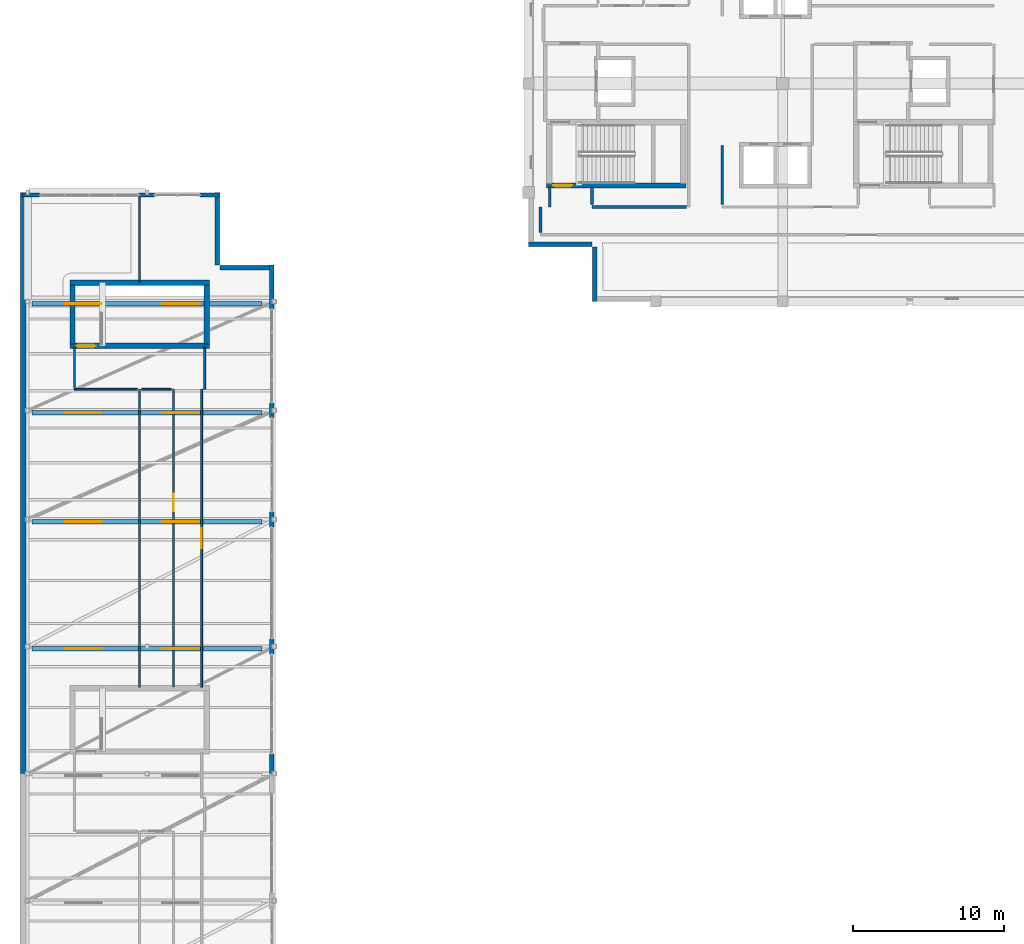
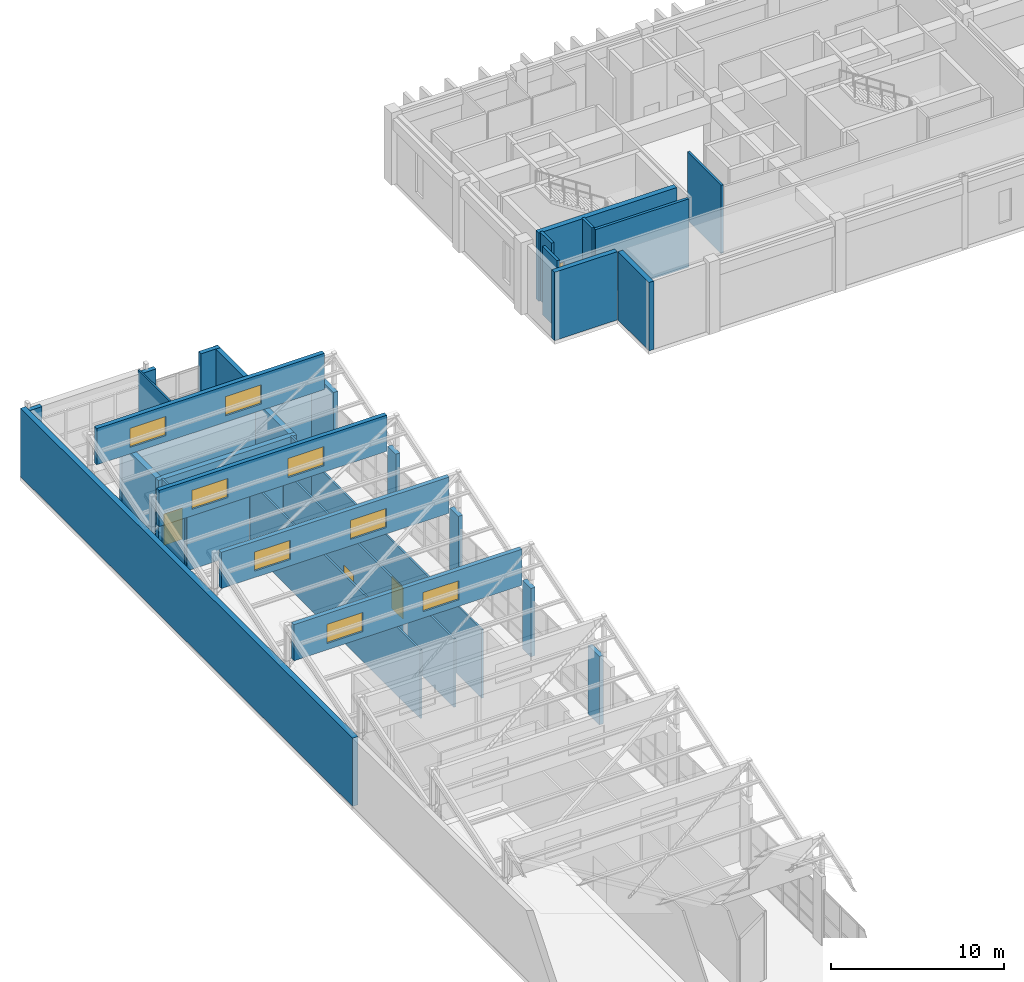
# One storey, part 27 of 34: 35 walls, 8 windows, 4 doors, 12 openings.
"""IFC4 building model written with IfcOpenShell, lengths in metres."""

from ifc_helpers import new_model, si_unit, direction, frame, frame_2d, origin, place, context, subcontext, project, spatial, rectangle, extrude, material, layer, layer_set, type_object, element, fill, save


model = new_model("IFC4")

# Units and contexts
model_context = context("Model", 3, precision=1e-05, world=origin(), true_north=direction((0.0, 1.0)))
body_context = subcontext(model_context, "Body", "Model", "MODEL_VIEW")
ifc_project = project(units=[si_unit("LENGTHUNIT", "METRE"), si_unit("AREAUNIT", "SQUARE_METRE"), si_unit("VOLUMEUNIT", "CUBIC_METRE"), si_unit("PLANEANGLEUNIT", "RADIAN"), si_unit("MASSUNIT", "GRAM", prefix="KILO")], contexts=[model_context])

# Site, building, storey
site_placement = place(None, origin())
site = spatial("IfcSite", under=ifc_project, at=site_placement, CompositionType="ELEMENT")
building_placement = place(site_placement, origin())
building = spatial("IfcBuilding", under=site, at=building_placement, Name="Quendrovan Civic Courthouse", CompositionType="ELEMENT")
storey_placement = place(building_placement, frame((0.0, 0.0, 25.5)))
storey = spatial("IfcBuildingStorey", under=building, at=storey_placement, Name="L06", CompositionType="ELEMENT", Elevation=25.5)

# Wall, opening, door
ifc_material_1 = material(Name="Concrete C45/55", Category="concrete")
ifc_layer_1 = layer(ifc_material_1, 0.35009765625, Name="Concrete C45/55")
ifc_layer_set_1 = layer_set([ifc_layer_1], Name="Concrete C45/55")
wall_type_1 = type_object("IfcWallType", Name="WL-CORE-350", PredefinedType="SHEAR", material=ifc_layer_set_1)
wall_1_placement = place(storey_placement, frame((34.7900390625, 95.264892578125, 0.0), z_axis=(0.0, 0.0, 1.0), x_axis=(1.0, 0.0, 0.0)))
wall_1 = element("IfcWall", 1, at=wall_1_placement, inside=storey, type_object=wall_type_1, Name="L06 Core Shear Wall ST1-S", PredefinedType="SHEAR", context=body_context, shape_type="SweptSolid", body=[
    extrude(rectangle(XDim=9.219970703125, YDim=0.35009765625, at=frame_2d((4.60986328125, 0.0))), origin(), (0.0, 0.0, 1.0), 4.820068359375),
])
opening_1_placement = place(wall_1_placement, frame((0.449951171875, 0.0, 0.0)))
opening_1 = element("IfcOpeningElement", 2, at=opening_1_placement, cuts=wall_1, Name="Opening DS-ST1-L06", PredefinedType="OPENING", context=body_context, shape_type="SweptSolid", body=[
    extrude(rectangle(XDim=1.25, YDim=2.199951171875, at=frame_2d((0.625, 1.10009765625))), frame((0.0, 0.18505859375, 0.0), z_axis=(0.0, -1.0, 0.0), x_axis=(1.0, 0.0, 0.0)), (0.0, 0.0, 1.0), 0.3701171875),
])
ifc_material_2 = material(Name="Painted galvanized hollow-metal steel", Category="steel")
door_type_1 = type_object("IfcDoorType", Name="DR-STAIR-1250", OperationType="NOTDEFINED", PredefinedType="DOOR", material=ifc_material_2)
door_1_placement = place(opening_1_placement, origin())
door_1 = element("IfcDoor", 3, at=door_1_placement, inside=storey, type_object=door_type_1, Name="L06 Exit Stair ST1 Fire Door", OperationType="SINGLE_SWING_RIGHT", OverallHeight=2.199951171875, OverallWidth=1.25, PredefinedType="DOOR", context=body_context, shape_type="SweptSolid", body=[
    extrude(rectangle(XDim=1.25, YDim=2.199951171875, at=frame_2d((0.625, 1.10009765625))), frame((0.0, 0.02490234375, 0.0), z_axis=(0.0, -1.0, 0.0), x_axis=(1.0, 0.0, 0.0)), (0.0, 0.0, 1.0), 0.050048828125),
])
fill(opening_1, door_1)

wall_2_placement = place(storey_placement, frame((3.2900390625, 84.6650390625, 0.0), z_axis=(0.0, 0.0, 1.0), x_axis=(1.0, 0.0, 0.0)))
wall_2 = element("IfcWall", 4, at=wall_2_placement, inside=storey, type_object=wall_type_1, Name="L06 Core Shear Wall ST8-S", PredefinedType="SHEAR", context=body_context, shape_type="SweptSolid", body=[
    extrude(rectangle(XDim=9.219970703125, YDim=0.35009765625, at=frame_2d((4.60986328125, 0.0))), origin(), (0.0, 0.0, 1.0), 4.820068359375),
])
opening_2_placement = place(wall_2_placement, frame((0.449951171875, 0.0, 0.0)))
opening_2 = element("IfcOpeningElement", 5, at=opening_2_placement, cuts=wall_2, Name="Opening DS-ST8-L06", PredefinedType="OPENING", context=body_context, shape_type="SweptSolid", body=[
    extrude(rectangle(XDim=1.25, YDim=2.199951171875, at=frame_2d((0.625, 1.10009765625))), frame((0.0, 0.18505859375, 0.0), z_axis=(0.0, -1.0, 0.0), x_axis=(1.0, 0.0, 0.0)), (0.0, 0.0, 1.0), 0.3701171875),
])
door_2_placement = place(opening_2_placement, origin())
door_2 = element("IfcDoor", 6, at=door_2_placement, inside=storey, type_object=door_type_1, Name="L06 Exit Stair ST8 Fire Door", OperationType="SINGLE_SWING_LEFT", OverallHeight=2.199951171875, OverallWidth=1.25, PredefinedType="DOOR", context=body_context, shape_type="SweptSolid", body=[
    extrude(rectangle(XDim=1.25, YDim=2.199951171875, at=frame_2d((0.625, 1.10009765625))), frame((0.0, 0.02490234375, 0.0), z_axis=(0.0, -1.0, 0.0), x_axis=(1.0, 0.0, 0.0)), (0.0, 0.0, 1.0), 0.050048828125),
])
fill(opening_2, door_2)

# Walls
wall_3_placement = place(storey_placement, frame((12.510009765625, 88.8349609375, 0.0), z_axis=(0.0, 0.0, 1.0), x_axis=(-1.0, 0.0, 0.0)))
element("IfcWall", 7, at=wall_3_placement, inside=storey, type_object=wall_type_1, Name="L06 Core Shear Wall ST8-N", PredefinedType="SHEAR", context=body_context, shape_type="SweptSolid", body=[
    extrude(rectangle(XDim=9.219970703125, YDim=0.35009765625, at=frame_2d((4.60986328125, 0.0))), origin(), (0.0, 0.0, 1.0), 4.820068359375),
])
for number, where, z_axis, x_axis, name in (
    (8, (3.465087890625, 84.800048828125, 0.0), (0.0, 0.0, 1.0), (0.0, 1.0, 0.0), "L06 Core Shear Wall ST8-W"),
    (9, (12.3349609375, 88.699951171875, 0.0), (0.0, 0.0, 1.0), (0.0, -1.0, 0.0), "L06 Core Shear Wall ST8-E"),
):
    element("IfcWall", number, at=place(storey_placement, frame(where, z_axis=z_axis, x_axis=x_axis)), inside=storey, type_object=wall_type_1, Name=name, PredefinedType="SHEAR", context=body_context, shape_type="SweptSolid", body=[
        extrude(rectangle(XDim=3.89990234375, YDim=0.35009765625, at=frame_2d((1.949951171875, 0.0))), origin(), (0.0, 0.0, 1.0), 4.820068359375),
    ])
ifc_material_3 = material(Name="Acoustic gypsum and mineral wool partition")
ifc_layer_2 = layer(ifc_material_3, 0.179931640625, Name="Acoustic gypsum and mineral wool partition")
ifc_layer_set_2 = layer_set([ifc_layer_2], Name="Acoustic gypsum and mineral wool partition")
wall_type_2 = type_object("IfcWallType", Name="WL-CRT-AC180", PredefinedType="PARTITIONING", material=ifc_layer_set_2)
wall_4_placement = place(storey_placement, frame((44.030029296875, 93.85009765625, 0.0), z_axis=(0.0, 0.0, 1.0), x_axis=(-1.0, 0.0, 0.0)))
element("IfcWall", 10, at=wall_4_placement, inside=storey, type_object=wall_type_2, Name="L06 Family Courtroom Partition 0772", PredefinedType="PARTITIONING", context=body_context, shape_type="SweptSolid", body=[
    extrude(rectangle(XDim=6.22998046875, YDim=0.179931640625, at=frame_2d((3.114990234375, 0.0))), origin(), (0.0, 0.0, 1.0), 4.820068359375),
])
wall_5_placement = place(storey_placement, frame((34.39990234375, 93.85009765625, 0.0), z_axis=(0.0, 0.0, 1.0), x_axis=(0.0, -1.0, 0.0)))
element("IfcWall", 11, at=wall_5_placement, inside=storey, type_object=wall_type_2, Name="L06 Family Courtroom Partition 0815", PredefinedType="PARTITIONING", context=body_context, shape_type="SweptSolid", body=[
    extrude(rectangle(XDim=1.68017578125, YDim=0.179931640625, at=frame_2d((0.840087890625, 0.0))), origin(), (0.0, 0.0, 1.0), 4.820068359375),
])
wall_6_placement = place(storey_placement, frame((37.800048828125, 94.02001953125, 0.0), z_axis=(0.0, 0.0, 1.0), x_axis=(0.0, 1.0, 0.0)))
element("IfcWall", 12, at=wall_6_placement, inside=storey, type_object=wall_type_2, Name="L06 Family Courtroom Partition 0817", PredefinedType="PARTITIONING", context=body_context, shape_type="SweptSolid", body=[
    extrude(rectangle(XDim=1.159912109375, YDim=0.179931640625, at=frame_2d((0.580078125, 0.0))), origin(), (0.0, 0.0, 1.0), 4.820068359375),
])
wall_7_placement = place(storey_placement, frame((35.0, 95.179931640625, 0.0), z_axis=(0.0, 0.0, 1.0), x_axis=(0.0, -1.0, 0.0)))
element("IfcWall", 13, at=wall_7_placement, inside=storey, type_object=wall_type_2, Name="L06 Family Courtroom Partition 0818", PredefinedType="PARTITIONING", context=body_context, shape_type="SweptSolid", body=[
    extrude(rectangle(XDim=1.329833984375, YDim=0.179931640625, at=frame_2d((0.6650390625, 0.0))), origin(), (0.0, 0.0, 1.0), 4.820068359375),
])
ifc_material_4 = material(Name="Precast concrete C45/55", Category="concrete")
ifc_layer_3 = layer(ifc_material_4, 0.2900390625, Name="Precast concrete C45/55")
ifc_layer_set_3 = layer_set([ifc_layer_3], Name="Precast concrete C45/55")
wall_type_3 = type_object("IfcWallType", Name="WL-EXT-PC290", PredefinedType="SOLIDWALL", material=ifc_layer_set_3)
wall_8_placement = place(storey_placement, frame((0.175048828125, 94.635009765625, 0.0), z_axis=(0.0, 0.0, 1.0), x_axis=(1.0, 0.0, 0.0)))
element("IfcWall", 14, at=wall_8_placement, inside=storey, type_object=wall_type_3, Name="L06 Exterior Pier Wall 470", PredefinedType="SOLIDWALL", context=body_context, shape_type="SweptSolid", body=[
    extrude(rectangle(XDim=1.125, YDim=0.2900390625, at=frame_2d((0.5625, 0.0))), origin(), (0.0, 0.0, 1.0), 4.679931640625),
])
wall_9_placement = place(storey_placement, frame((7.89990234375, 94.635009765625, 0.0), z_axis=(0.0, 0.0, 1.0), x_axis=(1.0, 0.0, 0.0)))
element("IfcWall", 15, at=wall_9_placement, inside=storey, type_object=wall_type_3, Name="L06 Exterior Pier Wall 471", PredefinedType="SOLIDWALL", context=body_context, shape_type="SweptSolid", body=[
    extrude(rectangle(XDim=1.0, YDim=0.2900390625, at=frame_2d((0.5, 0.0))), origin(), (0.0, 0.0, 1.0), 4.679931640625),
])
wall_10_placement = place(storey_placement, frame((11.89990234375, 94.635009765625, 0.0), z_axis=(0.0, 0.0, 1.0), x_axis=(1.0, 0.0, 0.0)))
element("IfcWall", 16, at=wall_10_placement, inside=storey, type_object=wall_type_3, Name="L06 Exterior Pier Wall 472", PredefinedType="SOLIDWALL", context=body_context, shape_type="SweptSolid", body=[
    extrude(rectangle(XDim=1.300048828125, YDim=0.2900390625, at=frame_2d((0.64990234375, 0.0))), origin(), (0.0, 0.0, 1.0), 4.679931640625),
])
wall_11_placement = place(storey_placement, frame((13.034912109375, 94.800048828125, 0.0), z_axis=(0.0, 0.0, 1.0), x_axis=(0.0, -1.0, 0.0)))
element("IfcWall", 17, at=wall_11_placement, inside=storey, type_object=wall_type_3, Name="L06 Exterior Civic Portal Wall 473", PredefinedType="SOLIDWALL", context=body_context, shape_type="SweptSolid", body=[
    extrude(rectangle(XDim=4.800048828125, YDim=0.2900390625, at=frame_2d((2.39990234375, 0.0))), origin(), (0.0, 0.0, 1.0), 4.679931640625),
])
wall_12_placement = place(storey_placement, frame((13.199951171875, 89.8349609375, 0.0), z_axis=(0.0, 0.0, 1.0), x_axis=(1.0, 0.0, 0.0)))
element("IfcWall", 18, at=wall_12_placement, inside=storey, type_object=wall_type_3, Name="L06 Exterior Civic Portal Wall 474", PredefinedType="SOLIDWALL", context=body_context, shape_type="SweptSolid", body=[
    extrude(rectangle(XDim=3.60009765625, YDim=0.2900390625, at=frame_2d((1.800048828125, 0.0))), origin(), (0.0, 0.0, 1.0), 4.679931640625),
])
wall_13_placement = place(storey_placement, frame((16.635009765625, 90.0, 0.0), z_axis=(0.0, 0.0, 1.0), x_axis=(0.0, -1.0, 0.0)))
element("IfcWall", 19, at=wall_13_placement, inside=storey, type_object=wall_type_3, Name="L06 Exterior Pier Wall 475", PredefinedType="SOLIDWALL", context=body_context, shape_type="SweptSolid", body=[
    extrude(rectangle(XDim=2.886474609375, YDim=0.2900390625, at=frame_2d((1.443359375, 0.0))), origin(), (0.0, 0.0, 1.0), 4.820068359375),
])
wall_14_placement = place(storey_placement, frame((16.635009765625, 80.875, 0.0), z_axis=(0.0, 0.0, 1.0), x_axis=(0.0, -1.0, 0.0)))
element("IfcWall", 20, at=wall_14_placement, inside=storey, type_object=wall_type_3, Name="L06 Exterior Pier Wall 476", PredefinedType="SOLIDWALL", context=body_context, shape_type="SweptSolid", body=[
    extrude(rectangle(XDim=0.949951171875, YDim=0.2900390625, at=frame_2d((0.47509765625, 0.0))), origin(), (0.0, 0.0, 1.0), 4.820068359375),
])
wall_15_placement = place(storey_placement, frame((16.635009765625, 73.699951171875, 0.0), z_axis=(0.0, 0.0, 1.0), x_axis=(0.0, -1.0, 0.0)))
element("IfcWall", 21, at=wall_15_placement, inside=storey, type_object=wall_type_3, Name="L06 Exterior Pier Wall 477", PredefinedType="SOLIDWALL", context=body_context, shape_type="SweptSolid", body=[
    extrude(rectangle(XDim=1.0, YDim=0.2900390625, at=frame_2d((0.5, 0.0))), origin(), (0.0, 0.0, 1.0), 4.820068359375),
])
wall_16_placement = place(storey_placement, frame((16.635009765625, 65.28662109375, 0.0), z_axis=(0.0, 0.0, 1.0), x_axis=(0.0, -1.0, 0.0)))
element("IfcWall", 22, at=wall_16_placement, inside=storey, type_object=wall_type_3, Name="L06 Exterior Pier Wall 478", PredefinedType="SOLIDWALL", context=body_context, shape_type="SweptSolid", body=[
    extrude(rectangle(XDim=0.97314453125, YDim=0.2900390625, at=frame_2d((0.486572265625, 0.0))), origin(), (0.0, 0.0, 1.0), 4.820068359375),
])
wall_17_placement = place(storey_placement, frame((16.635009765625, 57.699951171875, 0.0), z_axis=(0.0, 0.0, 1.0), x_axis=(0.0, -1.0, 0.0)))
element("IfcWall", 23, at=wall_17_placement, inside=storey, type_object=wall_type_3, Name="L06 Exterior Pier Wall 479", PredefinedType="SOLIDWALL", context=body_context, shape_type="SweptSolid", body=[
    extrude(rectangle(XDim=1.300048828125, YDim=0.2900390625, at=frame_2d((0.64990234375, 0.0))), origin(), (0.0, 0.0, 1.0), 4.820068359375),
])

# Wall, openings, windows
wall_18_placement = place(storey_placement, frame((0.800048828125, 64.64990234375, 5.10009765625), z_axis=(0.0, 0.0, 1.0), x_axis=(1.0, 0.0, 0.0)))
wall_18 = element("IfcWall", 24, at=wall_18_placement, inside=storey, type_object=wall_type_3, Name="Sawtooth North-Light Clerestory Wall Bay 5", PredefinedType="SOLIDWALL", context=body_context, shape_type="SweptSolid", body=[
    extrude(rectangle(XDim=15.199951171875, YDim=0.2900390625, at=frame_2d((7.60009765625, 0.0))), origin(), (0.0, 0.0, 1.0), 2.5498046875),
])
opening_3_placement = place(wall_18_placement, frame((2.199951171875, 0.0, 0.449951171875)))
opening_3 = element("IfcOpeningElement", 25, at=opening_3_placement, cuts=wall_18, Name="Opening WCL1", PredefinedType="OPENING", context=body_context, shape_type="SweptSolid", body=[
    extrude(rectangle(XDim=2.39990234375, YDim=1.35009765625, at=frame_2d((1.199951171875, 0.675048828125))), frame((0.0, 0.155029296875, 0.0), z_axis=(0.0, -1.0, 0.0), x_axis=(1.0, 0.0, 0.0)), (0.0, 0.0, 1.0), 0.31005859375),
])
opening_4_placement = place(wall_18_placement, frame((8.60009765625, 0.0, 0.449951171875)))
opening_4 = element("IfcOpeningElement", 26, at=opening_4_placement, cuts=wall_18, Name="Opening WCL1", PredefinedType="OPENING", context=body_context, shape_type="SweptSolid", body=[
    extrude(rectangle(XDim=2.39990234375, YDim=1.35009765625, at=frame_2d((1.199951171875, 0.675048828125))), frame((0.0, 0.155029296875, 0.0), z_axis=(0.0, -1.0, 0.0), x_axis=(1.0, 0.0, 0.0)), (0.0, 0.0, 1.0), 0.31005859375),
])
ifc_material_5 = material(Name="Laminated hurricane-impact low-E glass", Category="glass")
window_type = type_object("IfcWindowType", Name="WIN-CLER-SAW", PartitioningType="DOUBLE_PANEL_VERTICAL", PredefinedType="WINDOW", material=ifc_material_5)
window_1_placement = place(opening_3_placement, origin())
window_1 = element("IfcWindow", 27, at=window_1_placement, inside=storey, type_object=window_type, Name="Law Library Sawtooth North-Light Clerestory Window B5-1", OverallHeight=1.35009765625, OverallWidth=2.39990234375, PartitioningType="SINGLE_PANEL", PredefinedType="WINDOW", context=body_context, shape_type="SweptSolid", body=[
    extrude(rectangle(XDim=2.39990234375, YDim=1.35009765625, at=frame_2d((1.199951171875, 0.675048828125))), frame((0.0, 0.030029296875, 0.0), z_axis=(0.0, -1.0, 0.0), x_axis=(1.0, 0.0, 0.0)), (0.0, 0.0, 1.0), 0.06005859375),
])
fill(opening_3, window_1)
window_2_placement = place(opening_4_placement, origin())
window_2 = element("IfcWindow", 28, at=window_2_placement, inside=storey, type_object=window_type, Name="Law Library Sawtooth North-Light Clerestory Window B5-2", OverallHeight=1.35009765625, OverallWidth=2.39990234375, PartitioningType="SINGLE_PANEL", PredefinedType="WINDOW", context=body_context, shape_type="SweptSolid", body=[
    extrude(rectangle(XDim=2.39990234375, YDim=1.35009765625, at=frame_2d((1.199951171875, 0.675048828125))), frame((0.0, 0.030029296875, 0.0), z_axis=(0.0, -1.0, 0.0), x_axis=(1.0, 0.0, 0.0)), (0.0, 0.0, 1.0), 0.06005859375),
])
fill(opening_4, window_2)

wall_19_placement = place(storey_placement, frame((0.800048828125, 73.050048828125, 5.10009765625), z_axis=(0.0, 0.0, 1.0), x_axis=(1.0, 0.0, 0.0)))
wall_19 = element("IfcWall", 29, at=wall_19_placement, inside=storey, type_object=wall_type_3, Name="Sawtooth North-Light Clerestory Wall Bay 6", PredefinedType="SOLIDWALL", context=body_context, shape_type="SweptSolid", body=[
    extrude(rectangle(XDim=15.199951171875, YDim=0.2900390625, at=frame_2d((7.60009765625, 0.0))), origin(), (0.0, 0.0, 1.0), 2.5498046875),
])
opening_5_placement = place(wall_19_placement, frame((2.199951171875, 0.0, 0.449951171875)))
opening_5 = element("IfcOpeningElement", 30, at=opening_5_placement, cuts=wall_19, Name="Opening WCL1", PredefinedType="OPENING", context=body_context, shape_type="SweptSolid", body=[
    extrude(rectangle(XDim=2.39990234375, YDim=1.35009765625, at=frame_2d((1.199951171875, 0.675048828125))), frame((0.0, 0.155029296875, 0.0), z_axis=(0.0, -1.0, 0.0), x_axis=(1.0, 0.0, 0.0)), (0.0, 0.0, 1.0), 0.31005859375),
])
opening_6_placement = place(wall_19_placement, frame((8.60009765625, 0.0, 0.449951171875)))
opening_6 = element("IfcOpeningElement", 31, at=opening_6_placement, cuts=wall_19, Name="Opening WCL1", PredefinedType="OPENING", context=body_context, shape_type="SweptSolid", body=[
    extrude(rectangle(XDim=2.39990234375, YDim=1.35009765625, at=frame_2d((1.199951171875, 0.675048828125))), frame((0.0, 0.155029296875, 0.0), z_axis=(0.0, -1.0, 0.0), x_axis=(1.0, 0.0, 0.0)), (0.0, 0.0, 1.0), 0.31005859375),
])
window_3_placement = place(opening_5_placement, origin())
window_3 = element("IfcWindow", 32, at=window_3_placement, inside=storey, type_object=window_type, Name="Law Library Sawtooth North-Light Clerestory Window B6-1", OverallHeight=1.35009765625, OverallWidth=2.39990234375, PartitioningType="SINGLE_PANEL", PredefinedType="WINDOW", context=body_context, shape_type="SweptSolid", body=[
    extrude(rectangle(XDim=2.39990234375, YDim=1.35009765625, at=frame_2d((1.199951171875, 0.675048828125))), frame((0.0, 0.030029296875, 0.0), z_axis=(0.0, -1.0, 0.0), x_axis=(1.0, 0.0, 0.0)), (0.0, 0.0, 1.0), 0.06005859375),
])
fill(opening_5, window_3)
window_4_placement = place(opening_6_placement, origin())
window_4 = element("IfcWindow", 33, at=window_4_placement, inside=storey, type_object=window_type, Name="Law Library Sawtooth North-Light Clerestory Window B6-2", OverallHeight=1.35009765625, OverallWidth=2.39990234375, PartitioningType="SINGLE_PANEL", PredefinedType="WINDOW", context=body_context, shape_type="SweptSolid", body=[
    extrude(rectangle(XDim=2.39990234375, YDim=1.35009765625, at=frame_2d((1.199951171875, 0.675048828125))), frame((0.0, 0.030029296875, 0.0), z_axis=(0.0, -1.0, 0.0), x_axis=(1.0, 0.0, 0.0)), (0.0, 0.0, 1.0), 0.06005859375),
])
fill(opening_6, window_4)

wall_20_placement = place(storey_placement, frame((0.800048828125, 80.25, 5.10009765625), z_axis=(0.0, 0.0, 1.0), x_axis=(1.0, 0.0, 0.0)))
wall_20 = element("IfcWall", 34, at=wall_20_placement, inside=storey, type_object=wall_type_3, Name="Sawtooth North-Light Clerestory Wall Bay 7", PredefinedType="SOLIDWALL", context=body_context, shape_type="SweptSolid", body=[
    extrude(rectangle(XDim=15.199951171875, YDim=0.2900390625, at=frame_2d((7.60009765625, 0.0))), origin(), (0.0, 0.0, 1.0), 2.5498046875),
])
opening_7_placement = place(wall_20_placement, frame((2.199951171875, 0.0, 0.449951171875)))
opening_7 = element("IfcOpeningElement", 35, at=opening_7_placement, cuts=wall_20, Name="Opening WCL1", PredefinedType="OPENING", context=body_context, shape_type="SweptSolid", body=[
    extrude(rectangle(XDim=2.39990234375, YDim=1.35009765625, at=frame_2d((1.199951171875, 0.675048828125))), frame((0.0, 0.155029296875, 0.0), z_axis=(0.0, -1.0, 0.0), x_axis=(1.0, 0.0, 0.0)), (0.0, 0.0, 1.0), 0.31005859375),
])
opening_8_placement = place(wall_20_placement, frame((8.60009765625, 0.0, 0.449951171875)))
opening_8 = element("IfcOpeningElement", 36, at=opening_8_placement, cuts=wall_20, Name="Opening WCL1", PredefinedType="OPENING", context=body_context, shape_type="SweptSolid", body=[
    extrude(rectangle(XDim=2.39990234375, YDim=1.35009765625, at=frame_2d((1.199951171875, 0.675048828125))), frame((0.0, 0.155029296875, 0.0), z_axis=(0.0, -1.0, 0.0), x_axis=(1.0, 0.0, 0.0)), (0.0, 0.0, 1.0), 0.31005859375),
])
window_5_placement = place(opening_7_placement, origin())
window_5 = element("IfcWindow", 37, at=window_5_placement, inside=storey, type_object=window_type, Name="Law Library Sawtooth North-Light Clerestory Window B7-1", OverallHeight=1.35009765625, OverallWidth=2.39990234375, PartitioningType="SINGLE_PANEL", PredefinedType="WINDOW", context=body_context, shape_type="SweptSolid", body=[
    extrude(rectangle(XDim=2.39990234375, YDim=1.35009765625, at=frame_2d((1.199951171875, 0.675048828125))), frame((0.0, 0.030029296875, 0.0), z_axis=(0.0, -1.0, 0.0), x_axis=(1.0, 0.0, 0.0)), (0.0, 0.0, 1.0), 0.06005859375),
])
fill(opening_7, window_5)
window_6_placement = place(opening_8_placement, origin())
window_6 = element("IfcWindow", 38, at=window_6_placement, inside=storey, type_object=window_type, Name="Law Library Sawtooth North-Light Clerestory Window B7-2", OverallHeight=1.35009765625, OverallWidth=2.39990234375, PartitioningType="SINGLE_PANEL", PredefinedType="WINDOW", context=body_context, shape_type="SweptSolid", body=[
    extrude(rectangle(XDim=2.39990234375, YDim=1.35009765625, at=frame_2d((1.199951171875, 0.675048828125))), frame((0.0, 0.030029296875, 0.0), z_axis=(0.0, -1.0, 0.0), x_axis=(1.0, 0.0, 0.0)), (0.0, 0.0, 1.0), 0.06005859375),
])
fill(opening_8, window_6)

wall_21_placement = place(storey_placement, frame((0.800048828125, 87.449951171875, 5.10009765625), z_axis=(0.0, 0.0, 1.0), x_axis=(1.0, 0.0, 0.0)))
wall_21 = element("IfcWall", 39, at=wall_21_placement, inside=storey, type_object=wall_type_3, Name="Sawtooth North-Light Clerestory Wall Bay 8", PredefinedType="SOLIDWALL", context=body_context, shape_type="SweptSolid", body=[
    extrude(rectangle(XDim=15.199951171875, YDim=0.2900390625, at=frame_2d((7.60009765625, 0.0))), origin(), (0.0, 0.0, 1.0), 2.5498046875),
])
opening_9_placement = place(wall_21_placement, frame((2.199951171875, 0.0, 0.449951171875)))
opening_9 = element("IfcOpeningElement", 40, at=opening_9_placement, cuts=wall_21, Name="Opening WCL1", PredefinedType="OPENING", context=body_context, shape_type="SweptSolid", body=[
    extrude(rectangle(XDim=2.39990234375, YDim=1.35009765625, at=frame_2d((1.199951171875, 0.675048828125))), frame((0.0, 0.155029296875, 0.0), z_axis=(0.0, -1.0, 0.0), x_axis=(1.0, 0.0, 0.0)), (0.0, 0.0, 1.0), 0.31005859375),
])
opening_10_placement = place(wall_21_placement, frame((8.60009765625, 0.0, 0.449951171875)))
opening_10 = element("IfcOpeningElement", 41, at=opening_10_placement, cuts=wall_21, Name="Opening WCL1", PredefinedType="OPENING", context=body_context, shape_type="SweptSolid", body=[
    extrude(rectangle(XDim=2.39990234375, YDim=1.35009765625, at=frame_2d((1.199951171875, 0.675048828125))), frame((0.0, 0.155029296875, 0.0), z_axis=(0.0, -1.0, 0.0), x_axis=(1.0, 0.0, 0.0)), (0.0, 0.0, 1.0), 0.31005859375),
])
window_7_placement = place(opening_9_placement, origin())
window_7 = element("IfcWindow", 42, at=window_7_placement, inside=storey, type_object=window_type, Name="Law Library Sawtooth North-Light Clerestory Window B8-1", OverallHeight=1.35009765625, OverallWidth=2.39990234375, PartitioningType="SINGLE_PANEL", PredefinedType="WINDOW", context=body_context, shape_type="SweptSolid", body=[
    extrude(rectangle(XDim=2.39990234375, YDim=1.35009765625, at=frame_2d((1.199951171875, 0.675048828125))), frame((0.0, 0.030029296875, 0.0), z_axis=(0.0, -1.0, 0.0), x_axis=(1.0, 0.0, 0.0)), (0.0, 0.0, 1.0), 0.06005859375),
])
fill(opening_9, window_7)
window_8_placement = place(opening_10_placement, origin())
window_8 = element("IfcWindow", 43, at=window_8_placement, inside=storey, type_object=window_type, Name="Law Library Sawtooth North-Light Clerestory Window B8-2", OverallHeight=1.35009765625, OverallWidth=2.39990234375, PartitioningType="SINGLE_PANEL", PredefinedType="WINDOW", context=body_context, shape_type="SweptSolid", body=[
    extrude(rectangle(XDim=2.39990234375, YDim=1.35009765625, at=frame_2d((1.199951171875, 0.675048828125))), frame((0.0, 0.030029296875, 0.0), z_axis=(0.0, -1.0, 0.0), x_axis=(1.0, 0.0, 0.0)), (0.0, 0.0, 1.0), 0.06005859375),
])
fill(opening_10, window_8)

# Walls
ifc_layer_4 = layer(ifc_material_4, 0.320068359375, Name="Precast concrete C45/55")
ifc_layer_set_4 = layer_set([ifc_layer_4], Name="Precast concrete C45/55")
wall_type_4 = type_object("IfcWallType", Name="WL-EXT-PC320", PredefinedType="SOLIDWALL", material=ifc_layer_set_4)
wall_22_placement = place(storey_placement, frame((37.97998046875, 87.60009765625, 0.0), z_axis=(0.0, 0.0, 1.0), x_axis=(0.0, 1.0, 0.0)))
element("IfcWall", 44, at=wall_22_placement, inside=storey, type_object=wall_type_4, Name="L06 Exterior Precast Concrete Wall 498", PredefinedType="SOLIDWALL", context=body_context, shape_type="SweptSolid", body=[
    extrude(rectangle(XDim=3.599853515625, YDim=0.320068359375, at=frame_2d((1.7998046875, 0.0))), origin(), (0.0, 0.0, 1.0), 4.820068359375),
])
wall_23_placement = place(storey_placement, frame((37.800048828125, 91.3798828125, 0.0), z_axis=(0.0, 0.0, 1.0), x_axis=(-1.0, 0.0, 0.0)))
element("IfcWall", 45, at=wall_23_placement, inside=storey, type_object=wall_type_4, Name="L06 Exterior Precast Concrete Wall 499", PredefinedType="SOLIDWALL", context=body_context, shape_type="SweptSolid", body=[
    extrude(rectangle(XDim=4.199951171875, YDim=0.320068359375, at=frame_2d((2.10009765625, 0.0))), origin(), (0.0, 0.0, 1.0), 4.820068359375),
])
ifc_material_6 = material(Name="Acoustic gypsum stud partition")
ifc_layer_5 = layer(ifc_material_6, 0.14990234375, Name="Acoustic gypsum stud partition")
ifc_layer_set_5 = layer_set([ifc_layer_5], Name="Acoustic gypsum stud partition")
wall_type_5 = type_object("IfcWallType", Name="WL-JURY-150", PredefinedType="PARTITIONING", material=ifc_layer_set_5)
wall_24_placement = place(storey_placement, frame((46.39990234375, 94.0048828125, 0.0), z_axis=(0.0, 0.0, 1.0), x_axis=(0.0, 1.0, 0.0)))
element("IfcWall", 46, at=wall_24_placement, inside=storey, type_object=wall_type_5, Name="L06 Jury Room Partition 0792", PredefinedType="PARTITIONING", context=body_context, shape_type="SweptSolid", body=[
    extrude(rectangle(XDim=3.89501953125, YDim=0.14990234375, at=frame_2d((1.947509765625, 0.0))), origin(), (0.0, 0.0, 1.0), 4.820068359375),
])
ifc_material_7 = material(Name="Acoustic glazed-head stud partition")
ifc_layer_6 = layer(ifc_material_7, 0.1201171875, Name="Acoustic glazed-head stud partition")
ifc_layer_set_6 = layer_set([ifc_layer_6], Name="Acoustic glazed-head stud partition")
wall_type_6 = type_object("IfcWallType", Name="WL-LIB-120", PredefinedType="PARTITIONING", material=ifc_layer_set_6)
wall_25_placement = place(storey_placement, frame((7.89990234375, 81.800048828125, 0.0), z_axis=(0.0, 0.0, 1.0), x_axis=(0.0, -1.0, 0.0)))
element("IfcWall", 47, at=wall_25_placement, inside=storey, type_object=wall_type_6, Name="L06 Sawtooth Law Library Reading Room Partition 0754", PredefinedType="PARTITIONING", context=body_context, shape_type="SweptSolid", body=[
    extrude(rectangle(XDim=19.679931640625, YDim=0.1201171875, at=frame_2d((9.83984375, 0.0))), origin(), (0.0, 0.0, 1.0), 4.820068359375),
])

# Wall, opening, door
wall_26_placement = place(storey_placement, frame((12.0, 62.1201171875, 0.0), z_axis=(0.0, 0.0, 1.0), x_axis=(0.0, 1.0, 0.0)))
wall_26 = element("IfcWall", 48, at=wall_26_placement, inside=storey, type_object=wall_type_6, Name="L06 Compact Archive and Rare Treatises Vault Partition 0755", PredefinedType="PARTITIONING", context=body_context, shape_type="SweptSolid", body=[
    extrude(rectangle(XDim=19.679931640625, YDim=0.1201171875, at=frame_2d((9.83984375, 0.0))), origin(), (0.0, 0.0, 1.0), 4.820068359375),
])
opening_11_placement = place(wall_26_placement, frame((9.179931640625, 0.0, 0.0)))
opening_11 = element("IfcOpeningElement", 49, at=opening_11_placement, cuts=wall_26, Name="Opening D-L06-107", PredefinedType="OPENING", context=body_context, shape_type="SweptSolid", body=[
    extrude(rectangle(XDim=1.320068359375, YDim=2.239990234375, at=frame_2d((0.66015625, 1.1201171875))), frame((0.0, 0.070068359375, 0.0), z_axis=(0.0, -1.0, 0.0), x_axis=(1.0, 0.0, 0.0)), (0.0, 0.0, 1.0), 0.14013671875),
])
ifc_material_8 = material(Name="Painted fire-rated steel archive door", Category="steel")
door_type_2 = type_object("IfcDoorType", Name="DR-ARC-1320", OperationType="NOTDEFINED", PredefinedType="DOOR", material=ifc_material_8)
door_3_placement = place(opening_11_placement, origin())
door_3 = element("IfcDoor", 50, at=door_3_placement, inside=storey, type_object=door_type_2, Name="L06 Compact Archive and Rare Treatises Vault Door D-L06-107", OperationType="SINGLE_SWING_RIGHT", OverallHeight=2.239990234375, OverallWidth=1.320068359375, PredefinedType="DOOR", context=body_context, shape_type="SweptSolid", body=[
    extrude(rectangle(XDim=1.320068359375, YDim=2.239990234375, at=frame_2d((0.66015625, 1.1201171875))), frame((0.0, 0.02490234375, 0.0), z_axis=(0.0, -1.0, 0.0), x_axis=(1.0, 0.0, 0.0)), (0.0, 0.0, 1.0), 0.050048828125),
])
fill(opening_11, door_3)

# Walls
wall_27_placement = place(storey_placement, frame((7.89990234375, 94.739990234375, 0.0), z_axis=(0.0, 0.0, 1.0), x_axis=(0.0, -1.0, 0.0)))
element("IfcWall", 51, at=wall_27_placement, inside=storey, type_object=wall_type_6, Name="L06 Sawtooth Law Library Reading Room Partition 0774", PredefinedType="PARTITIONING", context=body_context, shape_type="SweptSolid", body=[
    extrude(rectangle(XDim=5.820068359375, YDim=0.1201171875, at=frame_2d((2.91015625, 0.0))), origin(), (0.0, 0.0, 1.0), 4.820068359375),
])
wall_28_placement = place(storey_placement, frame((3.60009765625, 81.800048828125, 0.0), z_axis=(0.0, 0.0, 1.0), x_axis=(1.0, 0.0, 0.0)))
element("IfcWall", 52, at=wall_28_placement, inside=storey, type_object=wall_type_6, Name="L06 Sawtooth Law Library Reading Room Partition 0783", PredefinedType="PARTITIONING", context=body_context, shape_type="SweptSolid", body=[
    extrude(rectangle(XDim=4.159912109375, YDim=0.1201171875, at=frame_2d((2.080078125, 0.0))), origin(), (0.0, 0.0, 1.0), 4.820068359375),
])
wall_29_placement = place(storey_placement, frame((3.60009765625, 84.580078125, 0.0), z_axis=(0.0, 0.0, 1.0), x_axis=(0.0, -1.0, 0.0)))
element("IfcWall", 53, at=wall_29_placement, inside=storey, type_object=wall_type_6, Name="L06 Sawtooth Law Library Reading Room Partition 0802", PredefinedType="PARTITIONING", context=body_context, shape_type="SweptSolid", body=[
    extrude(rectangle(XDim=2.64013671875, YDim=0.1201171875, at=frame_2d((1.320068359375, 0.0))), origin(), (0.0, 0.0, 1.0), 4.820068359375),
])
wall_30_placement = place(storey_placement, frame((12.199951171875, 81.800048828125, 0.0), z_axis=(0.0, 0.0, 1.0), x_axis=(0.0, 1.0, 0.0)))
element("IfcWall", 54, at=wall_30_placement, inside=storey, type_object=wall_type_6, Name="L06 Compact Archive and Rare Treatises Vault Partition 0803", PredefinedType="PARTITIONING", context=body_context, shape_type="SweptSolid", body=[
    extrude(rectangle(XDim=2.780029296875, YDim=0.1201171875, at=frame_2d((1.39013671875, 0.0))), origin(), (0.0, 0.0, 1.0), 4.820068359375),
])
ifc_material_9 = material(Name="Concrete C40/50", Category="concrete")
ifc_layer_7 = layer(ifc_material_9, 0.360107421875, Name="Concrete C40/50")
ifc_layer_set_7 = layer_set([ifc_layer_7], Name="Concrete C40/50")
wall_type_7 = type_object("IfcWallType", Name="WL-PARTY-360", PredefinedType="SOLIDWALL", material=ifc_layer_set_7)
wall_31_placement = place(storey_placement, frame((0.2099609375, 56.39990234375, 0.0), z_axis=(0.0, 0.0, 1.0), x_axis=(0.0, 1.0, 0.0)))
element("IfcWall", 55, at=wall_31_placement, inside=storey, type_object=wall_type_7, Name="L06 Fire-Rated Boundary Party Wall 492", PredefinedType="SOLIDWALL", context=body_context, shape_type="SweptSolid", body=[
    extrude(rectangle(XDim=38.400146484375, YDim=0.360107421875, at=frame_2d((19.2001953125, 0.0))), origin(), (0.0, 0.0, 1.0), 4.820068359375),
])

# Wall, opening, door
ifc_material_10 = material(Name="Gypsum stud partition")
ifc_layer_8 = layer(ifc_material_10, 0.1298828125, Name="Gypsum stud partition")
ifc_layer_set_8 = layer_set([ifc_layer_8], Name="Gypsum stud partition")
wall_type_8 = type_object("IfcWallType", Name="WL-REG-130", PredefinedType="PARTITIONING", material=ifc_layer_set_8)
wall_32_placement = place(storey_placement, frame((10.14990234375, 81.800048828125, 0.0), z_axis=(0.0, 0.0, 1.0), x_axis=(0.0, -1.0, 0.0)))
wall_32 = element("IfcWall", 56, at=wall_32_placement, inside=storey, type_object=wall_type_8, Name="L06 Family Mediation Hearing Room Partition 0756", PredefinedType="PARTITIONING", context=body_context, shape_type="SweptSolid", body=[
    extrude(rectangle(XDim=19.679931640625, YDim=0.1298828125, at=frame_2d((9.83984375, 0.0))), origin(), (0.0, 0.0, 1.0), 4.820068359375),
])
opening_12_placement = place(wall_32_placement, frame((6.8984375, 0.0, 0.0)))
opening_12 = element("IfcOpeningElement", 57, at=opening_12_placement, cuts=wall_32, Name="Opening D-L06-109", PredefinedType="OPENING", context=body_context, shape_type="SweptSolid", body=[
    extrude(rectangle(XDim=1.159912109375, YDim=2.320068359375, at=frame_2d((0.580078125, 1.16015625))), frame((0.0, 0.074951171875, 0.0), z_axis=(0.0, -1.0, 0.0), x_axis=(1.0, 0.0, 0.0)), (0.0, 0.0, 1.0), 0.14990234375),
])
ifc_material_11 = material(Name="Acoustic timber door with vision panel", Category="wood")
door_type_3 = type_object("IfcDoorType", Name="DR-MED-1160", OperationType="NOTDEFINED", PredefinedType="DOOR", material=ifc_material_11)
door_4_placement = place(opening_12_placement, origin())
door_4 = element("IfcDoor", 58, at=door_4_placement, inside=storey, type_object=door_type_3, Name="L06 Family Mediation Hearing Room Door D-L06-109", OperationType="SINGLE_SWING_RIGHT", OverallHeight=2.320068359375, OverallWidth=1.159912109375, PredefinedType="DOOR", context=body_context, shape_type="SweptSolid", body=[
    extrude(rectangle(XDim=1.159912109375, YDim=2.320068359375, at=frame_2d((0.580078125, 1.16015625))), frame((0.0, 0.02490234375, 0.0), z_axis=(0.0, -1.0, 0.0), x_axis=(1.0, 0.0, 0.0)), (0.0, 0.0, 1.0), 0.050048828125),
])
fill(opening_12, door_4)

# Wall
wall_33_placement = place(storey_placement, frame((8.0400390625, 81.800048828125, 0.0), z_axis=(0.0, 0.0, 1.0), x_axis=(1.0, 0.0, 0.0)))
element("IfcWall", 59, at=wall_33_placement, inside=storey, type_object=wall_type_8, Name="L06 Family Mediation Hearing Room Partition 0810", PredefinedType="PARTITIONING", context=body_context, shape_type="SweptSolid", body=[
    extrude(rectangle(XDim=1.96484375, YDim=0.1298828125, at=frame_2d((0.982421875, 0.0))), origin(), (0.0, 0.0, 1.0), 4.820068359375),
])

save(model, "model.ifc")
